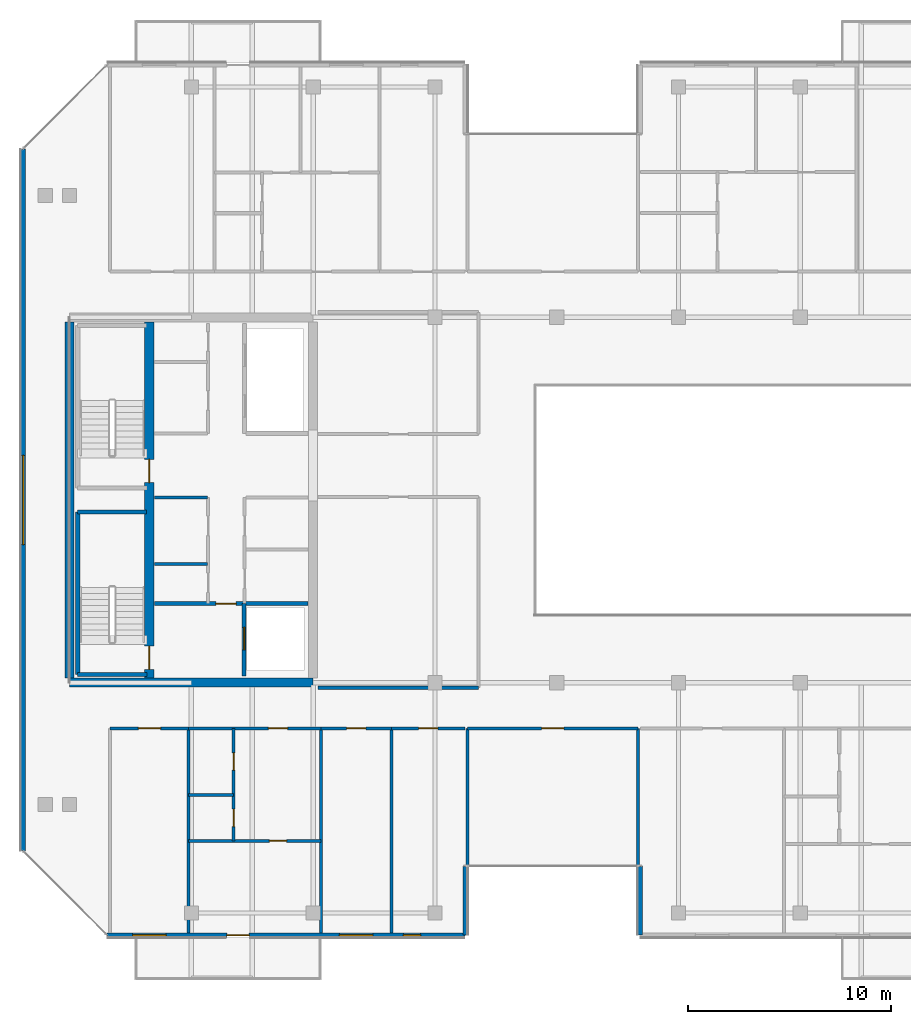
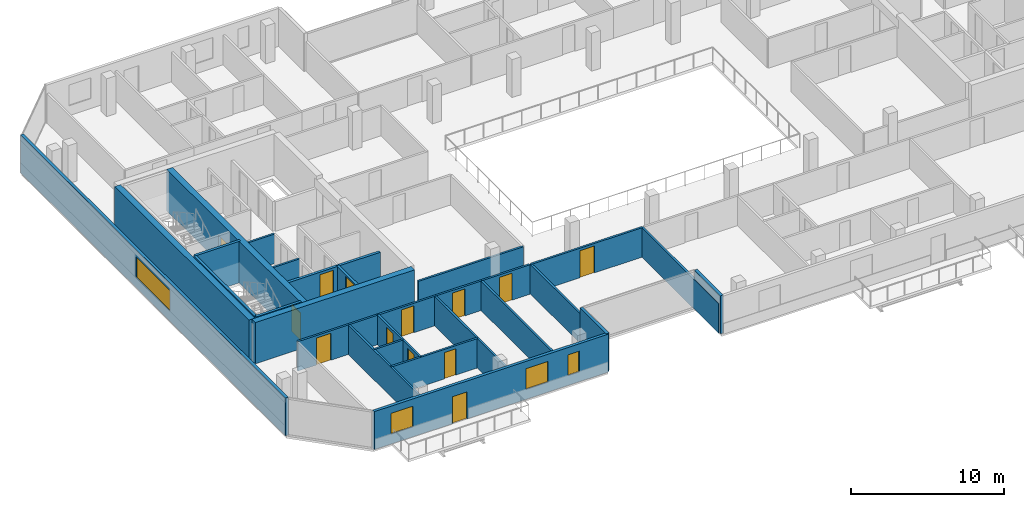
# One storey, part 14 of 24: 28 walls, 13 doors, 4 windows, 17 openings.
"""IFC4 building model written with IfcOpenShell, lengths in metres."""

from ifc_helpers import new_model, si_unit, direction, frame, frame_2d, origin, place, context, subcontext, project, spatial, rectangle, extrude, material, layer, layer_set, type_object, element, fill, save


model = new_model("IFC4")

# Units and contexts
model_context = context("Model", 3, precision=1e-05, world=origin(), true_north=direction((0.0, 1.0)))
body_context = subcontext(model_context, "Body", "Model", "MODEL_VIEW")
ifc_project = project(units=[si_unit("LENGTHUNIT", "METRE"), si_unit("AREAUNIT", "SQUARE_METRE"), si_unit("VOLUMEUNIT", "CUBIC_METRE"), si_unit("PLANEANGLEUNIT", "RADIAN"), si_unit("MASSUNIT", "GRAM", prefix="KILO")], contexts=[model_context])

# Site, building, storey
site_placement = place(None, origin())
site = spatial("IfcSite", under=ifc_project, at=site_placement, CompositionType="ELEMENT")
building_placement = place(site_placement, origin())
building = spatial("IfcBuilding", under=site, at=building_placement, Name="Tanjung Sevakor Pilgrim Tower", CompositionType="ELEMENT")
storey_placement = place(building_placement, frame((0.0, 0.0, 226.050048828125)))
storey = spatial("IfcBuildingStorey", under=building, at=storey_placement, Name="L63", CompositionType="ELEMENT", Elevation=226.050048828125)

# Walls
ifc_material_1 = material(Name="Concrete C60/75", Category="concrete")
ifc_layer_1 = layer(ifc_material_1, 0.449951171875)
ifc_layer_set_1 = layer_set([ifc_layer_1], Name="WALL-CW-450")
wall_type_1 = type_object("IfcWallType", Name="WALL-CW-450", PredefinedType="SHEAR", material=ifc_layer_set_1)
wall_1_placement = place(storey_placement, frame((24.0, 24.60009765625, 0.0), z_axis=(0.0, 0.0, 1.0), x_axis=(1.0, 0.0, 0.0)))
element("IfcWall", 1, at=wall_1_placement, inside=storey, type_object=wall_type_1, Name="L63 W Core South Shear Wall", PredefinedType="SHEAR", context=body_context, shape_type="SweptSolid", body=[
    extrude(rectangle(XDim=12.0, YDim=0.449951171875, at=frame_2d((6.0, 0.0))), origin(), (0.0, 0.0, 1.0), 3.300048828125),
])
wall_2_placement = place(storey_placement, frame((24.0, 24.824951171875, 0.0), z_axis=(0.0, 0.0, 1.0), x_axis=(0.0, 1.0, 0.0)))
element("IfcWall", 2, at=wall_2_placement, inside=storey, type_object=wall_type_1, Name="L63 W Core Outer Shear Wall", PredefinedType="SHEAR", context=body_context, shape_type="SweptSolid", body=[
    extrude(rectangle(XDim=17.550048828125, YDim=0.449951171875, at=frame_2d((8.77490234375, 0.0))), origin(), (0.0, 0.0, 1.0), 3.300048828125),
])

# Wall, openings, doors
wall_3_placement = place(storey_placement, frame((27.925048828125, 24.824951171875, 0.0), z_axis=(0.0, 0.0, 1.0), x_axis=(0.0, 1.0, 0.0)))
wall_3 = element("IfcWall", 3, at=wall_3_placement, inside=storey, type_object=wall_type_1, Name="L63 W Core Stair Spine Wall", PredefinedType="SHEAR", context=body_context, shape_type="SweptSolid", body=[
    extrude(rectangle(XDim=17.550048828125, YDim=0.449951171875, at=frame_2d((8.77490234375, 0.0))), origin(), (0.0, 0.0, 1.0), 3.300048828125),
])
opening_1_placement = place(wall_3_placement, frame((0.425048828125, 0.0, 0.0)))
opening_1 = element("IfcOpeningElement", 4, at=opening_1_placement, cuts=wall_3, Name="Opening ID-ST1", PredefinedType="OPENING", context=body_context, shape_type="SweptSolid", body=[
    extrude(rectangle(XDim=1.14990234375, YDim=2.14990234375, at=frame_2d((0.574951171875, 1.074951171875))), frame((0.0, 0.23486328125, 0.0), z_axis=(0.0, -1.0, 0.0), x_axis=(1.0, 0.0, 0.0)), (0.0, 0.0, 1.0), 0.469970703125),
])
opening_2_placement = place(wall_3_placement, frame((9.625, 0.0, 0.0)))
opening_2 = element("IfcOpeningElement", 5, at=opening_2_placement, cuts=wall_3, Name="Opening ID-ST1", PredefinedType="OPENING", context=body_context, shape_type="SweptSolid", body=[
    extrude(rectangle(XDim=1.14990234375, YDim=2.14990234375, at=frame_2d((0.574951171875, 1.074951171875))), frame((0.0, 0.23486328125, 0.0), z_axis=(0.0, -1.0, 0.0), x_axis=(1.0, 0.0, 0.0)), (0.0, 0.0, 1.0), 0.469970703125),
])
ifc_material_2 = material(Name="Fire-Rated Steel S355J2", Category="steel")
door_type_1 = type_object("IfcDoorType", Name="DT-FIRE-1150", OperationType="NOTDEFINED", PredefinedType="DOOR", material=ifc_material_2)
door_1_placement = place(opening_1_placement, origin())
door_1 = element("IfcDoor", 6, at=door_1_placement, inside=storey, type_object=door_type_1, Name="L63 TS-W1 Stair Fire Door", OperationType="SINGLE_SWING_RIGHT", OverallHeight=2.14990234375, OverallWidth=1.14990234375, PredefinedType="DOOR", context=body_context, shape_type="SweptSolid", body=[
    extrude(rectangle(XDim=1.14990234375, YDim=2.14990234375, at=frame_2d((0.574951171875, 1.074951171875))), frame((0.0, 0.02490234375, 0.0), z_axis=(0.0, -1.0, 0.0), x_axis=(1.0, 0.0, 0.0)), (0.0, 0.0, 1.0), 0.050048828125),
])
fill(opening_1, door_1)
door_2_placement = place(opening_2_placement, origin())
door_2 = element("IfcDoor", 7, at=door_2_placement, inside=storey, type_object=door_type_1, Name="L63 TS-W2 Stair Fire Door", OperationType="SINGLE_SWING_LEFT", OverallHeight=2.14990234375, OverallWidth=1.14990234375, PredefinedType="DOOR", context=body_context, shape_type="SweptSolid", body=[
    extrude(rectangle(XDim=1.14990234375, YDim=2.14990234375, at=frame_2d((0.574951171875, 1.074951171875))), frame((0.0, 0.02490234375, 0.0), z_axis=(0.0, -1.0, 0.0), x_axis=(1.0, 0.0, 0.0)), (0.0, 0.0, 1.0), 0.050048828125),
])
fill(opening_2, door_2)

# Walls
ifc_material_3 = material(Name="Concrete C40/50", Category="concrete")
ifc_layer_2 = layer(ifc_material_3, 0.14990234375)
ifc_layer_set_2 = layer_set([ifc_layer_2], Name="WT-COMP-150")
wall_type_2 = type_object("IfcWallType", Name="WT-COMP-150", PredefinedType="SOLIDWALL", material=ifc_layer_set_2)
for number, where, z_axis, x_axis, name in (
    (8, (28.169921875, 30.449951171875, 0.0), (0.0, 0.0, 1.0), (1.0, 0.0, 0.0), "L63 Partition IW-L63-003"),
    (9, (28.169921875, 33.719970703125, 0.0), (0.0, 0.0, 1.0), (1.0, 0.0, 0.0), "L63 Partition IW-L63-004"),
):
    element("IfcWall", number, at=place(storey_placement, frame(where, z_axis=z_axis, x_axis=x_axis)), inside=storey, type_object=wall_type_2, Name=name, PredefinedType="SOLIDWALL", context=body_context, shape_type="SweptSolid", body=[
        extrude(rectangle(XDim=2.630126953125, YDim=0.14990234375, at=frame_2d((1.31494140625, 0.0))), origin(), (0.0, 0.0, 1.0), 2.35009765625),
    ])
wall_4_placement = place(storey_placement, frame((36.2451171875, 24.35009765625, 0.0), z_axis=(0.0, 0.0, 1.0), x_axis=(1.0, 0.0, 0.0)))
element("IfcWall", 10, at=wall_4_placement, inside=storey, type_object=wall_type_2, Name="L63 Partition IW-L63-027", PredefinedType="SOLIDWALL", context=body_context, shape_type="SweptSolid", body=[
    extrude(rectangle(XDim=7.90478515625, YDim=0.14990234375, at=frame_2d((3.952392578125, 0.0))), origin(), (0.0, 0.0, 1.0), 2.35009765625),
])

# Wall, opening, door
wall_5_placement = place(storey_placement, frame((43.60009765625, 22.35009765625, 0.0), z_axis=(0.0, 0.0, 1.0), x_axis=(1.0, 0.0, 0.0)))
wall_5 = element("IfcWall", 11, at=wall_5_placement, inside=storey, type_object=wall_type_2, Name="L63 Partition IW-L63-039", PredefinedType="SOLIDWALL", context=body_context, shape_type="SweptSolid", body=[
    extrude(rectangle(XDim=8.39990234375, YDim=0.14990234375, at=frame_2d((4.199951171875, 0.0))), origin(), (0.0, 0.0, 1.0), 2.35009765625),
])
opening_3_placement = place(wall_5_placement, frame((3.64990234375, 0.0, 0.0)))
opening_3 = element("IfcOpeningElement", 12, at=opening_3_placement, cuts=wall_5, Name="Opening ID-RM2", PredefinedType="OPENING", context=body_context, shape_type="SweptSolid", body=[
    extrude(rectangle(XDim=1.10009765625, YDim=2.14990234375, at=frame_2d((0.550048828125, 1.074951171875))), frame((0.0, 0.0849609375, 0.0), z_axis=(0.0, -1.0, 0.0), x_axis=(1.0, 0.0, 0.0)), (0.0, 0.0, 1.0), 0.169921875),
])
ifc_material_4 = material(Name="Hardwood Timber", Category="wood")
door_type_2 = type_object("IfcDoorType", Name="DT-INT-1100", OperationType="NOTDEFINED", PredefinedType="DOOR", material=ifc_material_4)
door_3_placement = place(opening_3_placement, origin())
door_3 = element("IfcDoor", 13, at=door_3_placement, inside=storey, type_object=door_type_2, Name="L63 South Cleft Observatory Door", OperationType="SINGLE_SWING_RIGHT", OverallHeight=2.14990234375, OverallWidth=1.10009765625, PredefinedType="DOOR", context=body_context, shape_type="SweptSolid", body=[
    extrude(rectangle(XDim=1.10009765625, YDim=2.14990234375, at=frame_2d((0.550048828125, 1.074951171875))), frame((0.0, 0.02490234375, 0.0), z_axis=(0.0, -1.0, 0.0), x_axis=(1.0, 0.0, 0.0)), (0.0, 0.0, 1.0), 0.050048828125),
])
fill(opening_3, door_3)

# Walls
for number, where, z_axis, x_axis, name in (
    (14, (43.60009765625, 12.27001953125, 0.0), (0.0, 0.0, 1.0), (0.0, 1.0, 0.0), "L63 Partition IW-L63-040"),
    (15, (52.0, 12.27001953125, 0.0), (0.0, 0.0, 1.0), (0.0, 1.0, 0.0), "L63 Partition IW-L63-041"),
    (16, (29.86376953125, 12.27001953125, 0.0), (0.0, 0.0, 1.0), (0.0, 1.0, 0.0), "L63 Partition IW-L63-046"),
):
    element("IfcWall", number, at=place(storey_placement, frame(where, z_axis=z_axis, x_axis=x_axis)), inside=storey, type_object=wall_type_2, Name=name, PredefinedType="SOLIDWALL", context=body_context, shape_type="SweptSolid", body=[
        extrude(rectangle(XDim=10.080078125, YDim=0.14990234375, at=frame_2d((5.0400390625, 0.0))), origin(), (0.0, 0.0, 1.0), 2.35009765625),
    ])

# Wall, opening, door
wall_6_placement = place(storey_placement, frame((26.0, 22.35009765625, 0.0), z_axis=(0.0, 0.0, 1.0), x_axis=(1.0, 0.0, 0.0)))
wall_6 = element("IfcWall", 17, at=wall_6_placement, inside=storey, type_object=wall_type_2, Name="L63 Partition IW-L63-047", PredefinedType="SOLIDWALL", context=body_context, shape_type="SweptSolid", body=[
    extrude(rectangle(XDim=3.86376953125, YDim=0.14990234375, at=frame_2d((1.931884765625, 0.0))), origin(), (0.0, 0.0, 1.0), 2.35009765625),
])
opening_4_placement = place(wall_6_placement, frame((1.3818359375, 0.0, 0.0)))
opening_4 = element("IfcOpeningElement", 18, at=opening_4_placement, cuts=wall_6, Name="Opening ID-FD0", PredefinedType="OPENING", context=body_context, shape_type="SweptSolid", body=[
    extrude(rectangle(XDim=1.10009765625, YDim=2.14990234375, at=frame_2d((0.550048828125, 1.074951171875))), frame((0.0, 0.0849609375, 0.0), z_axis=(0.0, -1.0, 0.0), x_axis=(1.0, 0.0, 0.0)), (0.0, 0.0, 1.0), 0.169921875),
])
ifc_material_5 = material(Name="Fire-Rated Steel S355J2", Category="steel")
door_type_3 = type_object("IfcDoorType", Name="DT-FIRE-1100", OperationType="NOTDEFINED", PredefinedType="DOOR", material=ifc_material_5)
door_4_placement = place(opening_4_placement, origin())
door_4 = element("IfcDoor", 19, at=door_4_placement, inside=storey, type_object=door_type_3, Name="Communal Lounge Door", OperationType="SINGLE_SWING_RIGHT", OverallHeight=2.14990234375, OverallWidth=1.10009765625, PredefinedType="DOOR", context=body_context, shape_type="SweptSolid", body=[
    extrude(rectangle(XDim=1.10009765625, YDim=2.14990234375, at=frame_2d((0.550048828125, 1.074951171875))), frame((0.0, 0.02490234375, 0.0), z_axis=(0.0, -1.0, 0.0), x_axis=(1.0, 0.0, 0.0)), (0.0, 0.0, 1.0), 0.050048828125),
])
fill(opening_4, door_4)

# Wall
wall_7_placement = place(storey_placement, frame((36.3759765625, 12.27001953125, 0.0), z_axis=(0.0, 0.0, 1.0), x_axis=(0.0, 1.0, 0.0)))
element("IfcWall", 20, at=wall_7_placement, inside=storey, type_object=wall_type_2, Name="L63 Partition IW-L63-048", PredefinedType="SOLIDWALL", context=body_context, shape_type="SweptSolid", body=[
    extrude(rectangle(XDim=10.080078125, YDim=0.14990234375, at=frame_2d((5.0400390625, 0.0))), origin(), (0.0, 0.0, 1.0), 2.35009765625),
])

# Wall, opening, door
wall_8_placement = place(storey_placement, frame((29.86376953125, 22.35009765625, 0.0), z_axis=(0.0, 0.0, 1.0), x_axis=(1.0, 0.0, 0.0)))
wall_8 = element("IfcWall", 21, at=wall_8_placement, inside=storey, type_object=wall_type_2, Name="L63 Partition IW-L63-052", PredefinedType="SOLIDWALL", context=body_context, shape_type="SweptSolid", body=[
    extrude(rectangle(XDim=6.51220703125, YDim=0.14990234375, at=frame_2d((3.256103515625, 0.0))), origin(), (0.0, 0.0, 1.0), 2.35009765625),
])
opening_5_placement = place(wall_8_placement, frame((3.92822265625, 0.0, 0.0)))
opening_5 = element("IfcOpeningElement", 22, at=opening_5_placement, cuts=wall_8, Name="Opening ID-FD2", PredefinedType="OPENING", context=body_context, shape_type="SweptSolid", body=[
    extrude(rectangle(XDim=0.949951171875, YDim=2.14990234375, at=frame_2d((0.47509765625, 1.074951171875))), frame((0.0, 0.0849609375, 0.0), z_axis=(0.0, -1.0, 0.0), x_axis=(1.0, 0.0, 0.0)), (0.0, 0.0, 1.0), 0.169921875),
])
ifc_material_6 = material(Name="Fire-Rated Timber", Category="wood")
door_type_4 = type_object("IfcDoorType", Name="DT-FIRE-950", OperationType="NOTDEFINED", PredefinedType="DOOR", material=ifc_material_6)
door_5_placement = place(opening_5_placement, origin())
door_5 = element("IfcDoor", 23, at=door_5_placement, inside=storey, type_object=door_type_4, Name="Residence Entrance", OperationType="SINGLE_SWING_RIGHT", OverallHeight=2.14990234375, OverallWidth=0.949951171875, PredefinedType="DOOR", context=body_context, shape_type="SweptSolid", body=[
    extrude(rectangle(XDim=0.949951171875, YDim=2.14990234375, at=frame_2d((0.47509765625, 1.074951171875))), frame((0.0, 0.02490234375, 0.0), z_axis=(0.0, -1.0, 0.0), x_axis=(1.0, 0.0, 0.0)), (0.0, 0.0, 1.0), 0.050048828125),
])
fill(opening_5, door_5)

# Wall
wall_9_placement = place(storey_placement, frame((39.86572265625, 12.27001953125, 0.0), z_axis=(0.0, 0.0, 1.0), x_axis=(0.0, 1.0, 0.0)))
element("IfcWall", 24, at=wall_9_placement, inside=storey, type_object=wall_type_2, Name="L63 Partition IW-L63-053", PredefinedType="SOLIDWALL", context=body_context, shape_type="SweptSolid", body=[
    extrude(rectangle(XDim=10.080078125, YDim=0.14990234375, at=frame_2d((5.0400390625, 0.0))), origin(), (0.0, 0.0, 1.0), 2.35009765625),
])

# Wall, opening, door
wall_10_placement = place(storey_placement, frame((36.3759765625, 22.35009765625, 0.0), z_axis=(0.0, 0.0, 1.0), x_axis=(1.0, 0.0, 0.0)))
wall_10 = element("IfcWall", 25, at=wall_10_placement, inside=storey, type_object=wall_type_2, Name="L63 Partition IW-L63-054", PredefinedType="SOLIDWALL", context=body_context, shape_type="SweptSolid", body=[
    extrude(rectangle(XDim=3.48974609375, YDim=0.14990234375, at=frame_2d((1.744873046875, 0.0))), origin(), (0.0, 0.0, 1.0), 2.35009765625),
])
opening_6_placement = place(wall_10_placement, frame((1.27001953125, 0.0, 0.0)))
opening_6 = element("IfcOpeningElement", 26, at=opening_6_placement, cuts=wall_10, Name="Opening ID-FD2", PredefinedType="OPENING", context=body_context, shape_type="SweptSolid", body=[
    extrude(rectangle(XDim=0.949951171875, YDim=2.14990234375, at=frame_2d((0.47509765625, 1.074951171875))), frame((0.0, 0.0849609375, 0.0), z_axis=(0.0, -1.0, 0.0), x_axis=(1.0, 0.0, 0.0)), (0.0, 0.0, 1.0), 0.169921875),
])
door_6_placement = place(opening_6_placement, origin())
door_6 = element("IfcDoor", 27, at=door_6_placement, inside=storey, type_object=door_type_4, Name="Study Room Entrance", OperationType="SINGLE_SWING_LEFT", OverallHeight=2.14990234375, OverallWidth=0.949951171875, PredefinedType="DOOR", context=body_context, shape_type="SweptSolid", body=[
    extrude(rectangle(XDim=0.949951171875, YDim=2.14990234375, at=frame_2d((0.47509765625, 1.074951171875))), frame((0.0, 0.02490234375, 0.0), z_axis=(0.0, -1.0, 0.0), x_axis=(1.0, 0.0, 0.0)), (0.0, 0.0, 1.0), 0.050048828125),
])
fill(opening_6, door_6)

wall_11_placement = place(storey_placement, frame((39.86572265625, 22.35009765625, 0.0), z_axis=(0.0, 0.0, 1.0), x_axis=(1.0, 0.0, 0.0)))
wall_11 = element("IfcWall", 28, at=wall_11_placement, inside=storey, type_object=wall_type_2, Name="L63 Partition IW-L63-055", PredefinedType="SOLIDWALL", context=body_context, shape_type="SweptSolid", body=[
    extrude(rectangle(XDim=3.6142578125, YDim=0.14990234375, at=frame_2d((1.80712890625, 0.0))), origin(), (0.0, 0.0, 1.0), 2.35009765625),
])
opening_7_placement = place(wall_11_placement, frame((1.33203125, 0.0, 0.0)))
opening_7 = element("IfcOpeningElement", 29, at=opening_7_placement, cuts=wall_11, Name="Opening ID-FD2", PredefinedType="OPENING", context=body_context, shape_type="SweptSolid", body=[
    extrude(rectangle(XDim=0.949951171875, YDim=2.14990234375, at=frame_2d((0.47509765625, 1.074951171875))), frame((0.0, 0.0849609375, 0.0), z_axis=(0.0, -1.0, 0.0), x_axis=(1.0, 0.0, 0.0)), (0.0, 0.0, 1.0), 0.169921875),
])
door_7_placement = place(opening_7_placement, origin())
door_7 = element("IfcDoor", 30, at=door_7_placement, inside=storey, type_object=door_type_4, Name="Study Room Entrance", OperationType="SINGLE_SWING_RIGHT", OverallHeight=2.14990234375, OverallWidth=0.949951171875, PredefinedType="DOOR", context=body_context, shape_type="SweptSolid", body=[
    extrude(rectangle(XDim=0.949951171875, YDim=2.14990234375, at=frame_2d((0.47509765625, 1.074951171875))), frame((0.0, 0.02490234375, 0.0), z_axis=(0.0, -1.0, 0.0), x_axis=(1.0, 0.0, 0.0)), (0.0, 0.0, 1.0), 0.050048828125),
])
fill(opening_7, door_7)

# Wall, openings, door, windows
ifc_material_7 = material(Name="Precast concrete C45/55", Category="concrete")
ifc_layer_3 = layer(ifc_material_7, 0.219970703125)
ifc_layer_set_3 = layer_set([ifc_layer_3], Name="WT-EW-STN4")
wall_type_3 = type_object("IfcWallType", Name="WT-EW-STN4", PredefinedType="SOLIDWALL", material=ifc_layer_set_3)
wall_12_placement = place(storey_placement, frame((25.845703125, 12.159912109375, 0.0), z_axis=(0.0, 0.0, 1.0), x_axis=(1.0, 0.0, 0.0)))
wall_12 = element("IfcWall", 31, at=wall_12_placement, inside=storey, type_object=wall_type_3, Name="L63 MAIN Exterior Wall 1", PredefinedType="SOLIDWALL", context=body_context, shape_type="SweptSolid", body=[
    extrude(rectangle(XDim=17.644287109375, YDim=0.219970703125, at=frame_2d((8.822265625, 0.0))), origin(), (0.0, 0.0, 1.0), 3.02001953125),
])
opening_8_placement = place(wall_12_placement, frame((5.904296875, 0.0, 0.0)))
opening_8 = element("IfcOpeningElement", 32, at=opening_8_placement, cuts=wall_12, Name="Opening ED-BAL-1100", PredefinedType="OPENING", context=body_context, shape_type="SweptSolid", body=[
    extrude(rectangle(XDim=1.10009765625, YDim=2.14990234375, at=frame_2d((0.550048828125, 1.074951171875))), frame((0.0, 0.119873046875, 0.0), z_axis=(0.0, -1.0, 0.0), x_axis=(1.0, 0.0, 0.0)), (0.0, 0.0, 1.0), 0.239990234375),
])
opening_9_placement = place(wall_12_placement, frame((1.26123046875, 0.0, 0.780029296875)))
opening_9 = element("IfcOpeningElement", 33, at=opening_9_placement, cuts=wall_12, Name="Opening WN-Z4-1660", PredefinedType="OPENING", context=body_context, shape_type="SweptSolid", body=[
    extrude(rectangle(XDim=1.64990234375, YDim=1.659912109375, at=frame_2d((0.824951171875, 0.830078125))), frame((0.0, 0.119873046875, 0.0), z_axis=(0.0, -1.0, 0.0), x_axis=(1.0, 0.0, 0.0)), (0.0, 0.0, 1.0), 0.239990234375),
])
opening_10_placement = place(wall_12_placement, frame((11.4501953125, 0.0, 0.780029296875)))
opening_10 = element("IfcOpeningElement", 34, at=opening_10_placement, cuts=wall_12, Name="Opening WN-Z4-1660", PredefinedType="OPENING", context=body_context, shape_type="SweptSolid", body=[
    extrude(rectangle(XDim=1.64990234375, YDim=1.659912109375, at=frame_2d((0.824951171875, 0.830078125))), frame((0.0, 0.119873046875, 0.0), z_axis=(0.0, -1.0, 0.0), x_axis=(1.0, 0.0, 0.0)), (0.0, 0.0, 1.0), 0.239990234375),
])
opening_11_placement = place(wall_12_placement, frame((14.602294921875, 0.0, 0.780029296875)))
opening_11 = element("IfcOpeningElement", 35, at=opening_11_placement, cuts=wall_12, Name="Opening WN-SLM", PredefinedType="OPENING", context=body_context, shape_type="SweptSolid", body=[
    extrude(rectangle(XDim=0.85009765625, YDim=1.64990234375, at=frame_2d((0.425048828125, 0.824951171875))), frame((0.0, 0.119873046875, 0.0), z_axis=(0.0, -1.0, 0.0), x_axis=(1.0, 0.0, 0.0)), (0.0, 0.0, 1.0), 0.239990234375),
])
ifc_material_8 = material(Name="Anodised Aluminium and Laminated Glass", Category="aluminium")
door_type_5 = type_object("IfcDoorType", Name="DTYP-ED-BAL-1100", OperationType="NOTDEFINED", PredefinedType="DOOR", material=ifc_material_8)
door_8_placement = place(opening_8_placement, frame((1.10009765625, 0.0, 0.0), z_axis=(0.0, 0.0, 1.0), x_axis=(-1.0, 0.0, 0.0)))
door_8 = element("IfcDoor", 36, at=door_8_placement, inside=storey, type_object=door_type_5, Name="L63 Balcony Door MAIN-S1", OperationType="SINGLE_SWING_LEFT", OverallHeight=2.14990234375, OverallWidth=1.10009765625, PredefinedType="DOOR", context=body_context, shape_type="SweptSolid", body=[
    extrude(rectangle(XDim=1.10009765625, YDim=2.14990234375, at=frame_2d((0.550048828125, 1.074951171875))), frame((0.0, 0.02490234375, 0.0), z_axis=(0.0, -1.0, 0.0), x_axis=(1.0, 0.0, 0.0)), (0.0, 0.0, 1.0), 0.050048828125),
])
fill(opening_8, door_8)
ifc_material_9 = material(Name="Thermally Broken Aluminium and Low-E Glass", Category="aluminium")
window_type_1 = type_object("IfcWindowType", Name="WTYP-WN-SLM", PartitioningType="SINGLE_PANEL", PredefinedType="WINDOW", material=ifc_material_9)
window_1_placement = place(opening_11_placement, origin())
window_1 = element("IfcWindow", 37, at=window_1_placement, inside=storey, type_object=window_type_1, Name="L63 Facade Window 03", OverallHeight=1.64990234375, OverallWidth=0.85009765625, PartitioningType="SINGLE_PANEL", PredefinedType="WINDOW", context=body_context, shape_type="SweptSolid", body=[
    extrude(rectangle(XDim=0.85009765625, YDim=1.64990234375, at=frame_2d((0.425048828125, 0.824951171875))), frame((0.0, 0.030029296875, 0.0), z_axis=(0.0, -1.0, 0.0), x_axis=(1.0, 0.0, 0.0)), (0.0, 0.0, 1.0), 0.06005859375),
])
fill(opening_11, window_1)
ifc_material_10 = material(Name="Thermally Broken Aluminium and Low-E Glass", Category="aluminium")
window_type_2 = type_object("IfcWindowType", Name="WTYP-WN-Z4-1660", PartitioningType="DOUBLE_PANEL_VERTICAL", PredefinedType="WINDOW", material=ifc_material_10)
window_2_placement = place(opening_9_placement, origin())
window_2 = element("IfcWindow", 38, at=window_2_placement, inside=storey, type_object=window_type_2, Name="L63 Facade Window 01", OverallHeight=1.659912109375, OverallWidth=1.64990234375, PartitioningType="SINGLE_PANEL", PredefinedType="WINDOW", context=body_context, shape_type="SweptSolid", body=[
    extrude(rectangle(XDim=1.64990234375, YDim=1.659912109375, at=frame_2d((0.824951171875, 0.830078125))), frame((0.0, 0.030029296875, 0.0), z_axis=(0.0, -1.0, 0.0), x_axis=(1.0, 0.0, 0.0)), (0.0, 0.0, 1.0), 0.06005859375),
])
fill(opening_9, window_2)
window_3_placement = place(opening_10_placement, origin())
window_3 = element("IfcWindow", 39, at=window_3_placement, inside=storey, type_object=window_type_2, Name="L63 Facade Window 02", OverallHeight=1.659912109375, OverallWidth=1.64990234375, PartitioningType="SINGLE_PANEL", PredefinedType="WINDOW", context=body_context, shape_type="SweptSolid", body=[
    extrude(rectangle(XDim=1.64990234375, YDim=1.659912109375, at=frame_2d((0.824951171875, 0.830078125))), frame((0.0, 0.030029296875, 0.0), z_axis=(0.0, -1.0, 0.0), x_axis=(1.0, 0.0, 0.0)), (0.0, 0.0, 1.0), 0.06005859375),
])
fill(opening_10, window_3)

# Walls
for number, where, z_axis, x_axis, name in (
    (40, (43.489990234375, 12.159912109375, 0.0), (0.0, 0.0, 1.0), (0.0, 1.0, 0.0), "L63 MAIN Exterior Wall 2"),
    (41, (52.110107421875, 15.56005859375, 0.0), (0.0, 0.0, 1.0), (0.0, -1.0, 0.0), "L63 MAIN Exterior Wall 4"),
):
    element("IfcWall", number, at=place(storey_placement, frame(where, z_axis=z_axis, x_axis=x_axis)), inside=storey, type_object=wall_type_3, Name=name, PredefinedType="SOLIDWALL", context=body_context, shape_type="SweptSolid", body=[
        extrude(rectangle(XDim=3.400146484375, YDim=0.219970703125, at=frame_2d((1.7001953125, 0.0))), origin(), (0.0, 0.0, 1.0), 3.02001953125),
    ])

# Wall, opening, window
wall_13_placement = place(storey_placement, frame((21.7099609375, 50.904296875, 0.0), z_axis=(0.0, 0.0, 1.0), x_axis=(0.0, -1.0, 0.0)))
wall_13 = element("IfcWall", 42, at=wall_13_placement, inside=storey, type_object=wall_type_3, Name="L63 MAIN Exterior Wall 15", PredefinedType="SOLIDWALL", context=body_context, shape_type="SweptSolid", body=[
    extrude(rectangle(XDim=34.608642578125, YDim=0.219970703125, at=frame_2d((17.30419921875, 0.0))), origin(), (0.0, 0.0, 1.0), 3.02001953125),
])
opening_12_placement = place(wall_13_placement, frame((15.1044921875, 0.0, 0.780029296875)))
opening_12 = element("IfcOpeningElement", 43, at=opening_12_placement, cuts=wall_13, Name="Opening WN-ENDW-1660", PredefinedType="OPENING", context=body_context, shape_type="SweptSolid", body=[
    extrude(rectangle(XDim=4.39990234375, YDim=1.659912109375, at=frame_2d((2.199951171875, 0.830078125))), frame((0.0, 0.119873046875, 0.0), z_axis=(0.0, -1.0, 0.0), x_axis=(1.0, 0.0, 0.0)), (0.0, 0.0, 1.0), 0.239990234375),
])
ifc_material_11 = material(Name="Thermally Broken Aluminium and Low-E Glass", Category="aluminium")
window_type_3 = type_object("IfcWindowType", Name="WTYP-WN-ENDW-1660", PartitioningType="DOUBLE_PANEL_VERTICAL", PredefinedType="WINDOW", material=ifc_material_11)
window_4_placement = place(opening_12_placement, origin())
window_4 = element("IfcWindow", 44, at=window_4_placement, inside=storey, type_object=window_type_3, Name="L63 Facade Window 01", OverallHeight=1.659912109375, OverallWidth=4.39990234375, PartitioningType="SINGLE_PANEL", PredefinedType="WINDOW", context=body_context, shape_type="SweptSolid", body=[
    extrude(rectangle(XDim=4.39990234375, YDim=1.659912109375, at=frame_2d((2.199951171875, 0.830078125))), frame((0.0, 0.030029296875, 0.0), z_axis=(0.0, -1.0, 0.0), x_axis=(1.0, 0.0, 0.0)), (0.0, 0.0, 1.0), 0.06005859375),
])
fill(opening_12, window_4)

# Walls
ifc_material_12 = material(Name="Concrete C40/50", Category="concrete")
ifc_layer_4 = layer(ifc_material_12, 0.199951171875)
ifc_layer_set_4 = layer_set([ifc_layer_4], Name="WT-FIRE-200")
wall_type_4 = type_object("IfcWallType", Name="WT-FIRE-200", PredefinedType="SOLIDWALL", material=ifc_layer_set_4)
for number, where, z_axis, x_axis, name in (
    (45, (24.39990234375, 25.0, 0.0), (0.0, 0.0, 1.0), (1.0, 0.0, 0.0), "L63 TS-W1 Shaft Wall 1"),
    (46, (27.800048828125, 33.0, 0.0), (0.0, 0.0, 1.0), (-1.0, 0.0, 0.0), "L63 TS-W1 Shaft Wall 2"),
):
    element("IfcWall", number, at=place(storey_placement, frame(where, z_axis=z_axis, x_axis=x_axis)), inside=storey, type_object=wall_type_4, Name=name, PredefinedType="SOLIDWALL", context=body_context, shape_type="SweptSolid", body=[
        extrude(rectangle(XDim=3.400146484375, YDim=0.199951171875, at=frame_2d((1.7001953125, 0.0))), origin(), (0.0, 0.0, 1.0), 3.300048828125),
    ])
wall_14_placement = place(storey_placement, frame((24.39990234375, 33.0, 0.0), z_axis=(0.0, 0.0, 1.0), x_axis=(0.0, -1.0, 0.0)))
element("IfcWall", 47, at=wall_14_placement, inside=storey, type_object=wall_type_4, Name="L63 TS-W1 Shaft Wall 3", PredefinedType="SOLIDWALL", context=body_context, shape_type="SweptSolid", body=[
    extrude(rectangle(XDim=8.0, YDim=0.199951171875, at=frame_2d((4.0, 0.0))), origin(), (0.0, 0.0, 1.0), 3.300048828125),
])

# Wall, opening, door
ifc_material_13 = material(Name="Concrete C40/50", Category="concrete")
ifc_layer_5 = layer(ifc_material_13, 0.199951171875)
ifc_layer_set_5 = layer_set([ifc_layer_5], Name="WT-FPRT-200")
wall_type_5 = type_object("IfcWallType", Name="WT-FPRT-200", PredefinedType="SOLIDWALL", material=ifc_layer_set_5)
wall_15_placement = place(storey_placement, frame((32.60009765625, 24.919921875, 0.0), z_axis=(0.0, 0.0, 1.0), x_axis=(0.0, 1.0, 0.0)))
wall_15 = element("IfcWall", 48, at=wall_15_placement, inside=storey, type_object=wall_type_5, Name="L63 Partition IW-L63-001", PredefinedType="SOLIDWALL", context=body_context, shape_type="SweptSolid", body=[
    extrude(rectangle(XDim=3.580078125, YDim=0.199951171875, at=frame_2d((1.7900390625, 0.0))), origin(), (0.0, 0.0, 1.0), 2.35009765625),
])
opening_13_placement = place(wall_15_placement, frame((1.300048828125, 0.0, 0.0)))
opening_13 = element("IfcOpeningElement", 49, at=opening_13_placement, cuts=wall_15, Name="Opening LD-1100", PredefinedType="OPENING", context=body_context, shape_type="SweptSolid", body=[
    extrude(rectangle(XDim=1.10009765625, YDim=2.199951171875, at=frame_2d((0.550048828125, 1.10009765625))), frame((0.0, 0.10986328125, 0.0), z_axis=(0.0, -1.0, 0.0), x_axis=(1.0, 0.0, 0.0)), (0.0, 0.0, 1.0), 0.219970703125),
])
ifc_material_14 = material(Name="Brushed Stainless Steel S355J2", Category="steel")
door_type_6 = type_object("IfcDoorType", Name="DT-LIFT-1100", OperationType="SLIDING_TO_LEFT", PredefinedType="DOOR", material=ifc_material_14)
door_9_placement = place(opening_13_placement, origin())
door_9 = element("IfcDoor", 50, at=door_9_placement, inside=storey, type_object=door_type_6, Name="LD-FL-W", OperationType="SLIDING_TO_LEFT", OverallHeight=2.199951171875, OverallWidth=1.10009765625, PredefinedType="DOOR", context=body_context, shape_type="SweptSolid", body=[
    extrude(rectangle(XDim=1.10009765625, YDim=2.199951171875, at=frame_2d((0.550048828125, 1.10009765625))), frame((0.0, 0.02490234375, 0.0), z_axis=(0.0, -1.0, 0.0), x_axis=(1.0, 0.0, 0.0)), (0.0, 0.0, 1.0), 0.050048828125),
])
fill(opening_13, door_9)

wall_16_placement = place(storey_placement, frame((28.169921875, 28.5, 0.0), z_axis=(0.0, 0.0, 1.0), x_axis=(1.0, 0.0, 0.0)))
wall_16 = element("IfcWall", 51, at=wall_16_placement, inside=storey, type_object=wall_type_5, Name="L63 Partition IW-L63-002", PredefinedType="SOLIDWALL", context=body_context, shape_type="SweptSolid", body=[
    extrude(rectangle(XDim=7.5849609375, YDim=0.199951171875, at=frame_2d((3.79248046875, 0.0))), origin(), (0.0, 0.0, 1.0), 2.35009765625),
])
opening_14_placement = place(wall_16_placement, frame((3.030029296875, 0.0, 0.0)))
opening_14 = element("IfcOpeningElement", 52, at=opening_14_placement, cuts=wall_16, Name="Opening ID-FD1", PredefinedType="OPENING", context=body_context, shape_type="SweptSolid", body=[
    extrude(rectangle(XDim=1.0, YDim=2.14990234375, at=frame_2d((0.5, 1.074951171875))), frame((0.0, 0.10986328125, 0.0), z_axis=(0.0, -1.0, 0.0), x_axis=(1.0, 0.0, 0.0)), (0.0, 0.0, 1.0), 0.219970703125),
])
ifc_material_15 = material(Name="Fire-Rated Steel S355J2", Category="steel")
door_type_7 = type_object("IfcDoorType", Name="DT-FIRE-1000", OperationType="NOTDEFINED", PredefinedType="DOOR", material=ifc_material_15)
door_10_placement = place(opening_14_placement, origin())
door_10 = element("IfcDoor", 53, at=door_10_placement, inside=storey, type_object=door_type_7, Name="Fire Lobby Door W", OperationType="SINGLE_SWING_LEFT", OverallHeight=2.14990234375, OverallWidth=1.0, PredefinedType="DOOR", context=body_context, shape_type="SweptSolid", body=[
    extrude(rectangle(XDim=1.0, YDim=2.14990234375, at=frame_2d((0.5, 1.074951171875))), frame((0.0, 0.02490234375, 0.0), z_axis=(0.0, -1.0, 0.0), x_axis=(1.0, 0.0, 0.0)), (0.0, 0.0, 1.0), 0.050048828125),
])
fill(opening_14, door_10)

# Wall
ifc_material_16 = material(Name="Gypsum Board Partition", Category="gypsum board")
ifc_layer_6 = layer(ifc_material_16, 0.14990234375)
ifc_layer_set_6 = layer_set([ifc_layer_6], Name="WT-PART-150")
wall_type_6 = type_object("IfcWallType", Name="WT-PART-150", PredefinedType="PARTITIONING", material=ifc_layer_set_6)
wall_17_placement = place(storey_placement, frame((29.86376953125, 19.075439453125, 0.0), z_axis=(0.0, 0.0, 1.0), x_axis=(1.0, 0.0, 0.0)))
element("IfcWall", 54, at=wall_17_placement, inside=storey, type_object=wall_type_6, Name="L63 Partition IW-L63-049", PredefinedType="PARTITIONING", context=body_context, shape_type="SweptSolid", body=[
    extrude(rectangle(XDim=2.214111328125, YDim=0.14990234375, at=frame_2d((1.10693359375, 0.0))), origin(), (0.0, 0.0, 1.0), 2.35009765625),
])

# Wall, openings, doors
wall_18_placement = place(storey_placement, frame((32.077880859375, 16.800048828125, 0.0), z_axis=(0.0, 0.0, 1.0), x_axis=(0.0, 1.0, 0.0)))
wall_18 = element("IfcWall", 55, at=wall_18_placement, inside=storey, type_object=wall_type_6, Name="L63 Partition IW-L63-050", PredefinedType="PARTITIONING", context=body_context, shape_type="SweptSolid", body=[
    extrude(rectangle(XDim=5.550048828125, YDim=0.14990234375, at=frame_2d((2.77490234375, 0.0))), origin(), (0.0, 0.0, 1.0), 2.35009765625),
])
opening_15_placement = place(wall_18_placement, frame((0.712890625, 0.0, 0.0)))
opening_15 = element("IfcOpeningElement", 56, at=opening_15_placement, cuts=wall_18, Name="Opening ID-WC1", PredefinedType="OPENING", context=body_context, shape_type="SweptSolid", body=[
    extrude(rectangle(XDim=0.85009765625, YDim=2.10009765625, at=frame_2d((0.425048828125, 1.050048828125))), frame((0.0, 0.0849609375, 0.0), z_axis=(0.0, -1.0, 0.0), x_axis=(1.0, 0.0, 0.0)), (0.0, 0.0, 1.0), 0.169921875),
])
opening_16_placement = place(wall_18_placement, frame((3.48779296875, 0.0, 0.0)))
opening_16 = element("IfcOpeningElement", 57, at=opening_16_placement, cuts=wall_18, Name="Opening ID-WC1", PredefinedType="OPENING", context=body_context, shape_type="SweptSolid", body=[
    extrude(rectangle(XDim=0.85009765625, YDim=2.10009765625, at=frame_2d((0.425048828125, 1.050048828125))), frame((0.0, 0.0849609375, 0.0), z_axis=(0.0, -1.0, 0.0), x_axis=(1.0, 0.0, 0.0)), (0.0, 0.0, 1.0), 0.169921875),
])
ifc_material_17 = material(Name="Moisture-Resistant Timber", Category="wood")
door_type_8 = type_object("IfcDoorType", Name="DT-INT-850", OperationType="NOTDEFINED", PredefinedType="DOOR", material=ifc_material_17)
door_11_placement = place(opening_15_placement, origin())
door_11 = element("IfcDoor", 58, at=door_11_placement, inside=storey, type_object=door_type_8, Name="Residence Bathroom Door", OperationType="SINGLE_SWING_LEFT", OverallHeight=2.10009765625, OverallWidth=0.85009765625, PredefinedType="DOOR", context=body_context, shape_type="SweptSolid", body=[
    extrude(rectangle(XDim=0.85009765625, YDim=2.10009765625, at=frame_2d((0.425048828125, 1.050048828125))), frame((0.0, 0.02490234375, 0.0), z_axis=(0.0, -1.0, 0.0), x_axis=(1.0, 0.0, 0.0)), (0.0, 0.0, 1.0), 0.050048828125),
])
fill(opening_15, door_11)
door_12_placement = place(opening_16_placement, origin())
door_12 = element("IfcDoor", 59, at=door_12_placement, inside=storey, type_object=door_type_8, Name="Residence Kitchenette Door", OperationType="SINGLE_SWING_RIGHT", OverallHeight=2.10009765625, OverallWidth=0.85009765625, PredefinedType="DOOR", context=body_context, shape_type="SweptSolid", body=[
    extrude(rectangle(XDim=0.85009765625, YDim=2.10009765625, at=frame_2d((0.425048828125, 1.050048828125))), frame((0.0, 0.02490234375, 0.0), z_axis=(0.0, -1.0, 0.0), x_axis=(1.0, 0.0, 0.0)), (0.0, 0.0, 1.0), 0.050048828125),
])
fill(opening_16, door_12)

# Wall, opening, door
wall_19_placement = place(storey_placement, frame((29.86376953125, 16.800048828125, 0.0), z_axis=(0.0, 0.0, 1.0), x_axis=(1.0, 0.0, 0.0)))
wall_19 = element("IfcWall", 60, at=wall_19_placement, inside=storey, type_object=wall_type_6, Name="L63 Partition IW-L63-051", PredefinedType="PARTITIONING", context=body_context, shape_type="SweptSolid", body=[
    extrude(rectangle(XDim=6.51220703125, YDim=0.14990234375, at=frame_2d((3.256103515625, 0.0))), origin(), (0.0, 0.0, 1.0), 2.35009765625),
])
opening_17_placement = place(wall_19_placement, frame((3.978271484375, 0.0, 0.0)))
opening_17 = element("IfcOpeningElement", 61, at=opening_17_placement, cuts=wall_19, Name="Opening ID-WC1", PredefinedType="OPENING", context=body_context, shape_type="SweptSolid", body=[
    extrude(rectangle(XDim=0.85009765625, YDim=2.10009765625, at=frame_2d((0.425048828125, 1.050048828125))), frame((0.0, 0.0849609375, 0.0), z_axis=(0.0, -1.0, 0.0), x_axis=(1.0, 0.0, 0.0)), (0.0, 0.0, 1.0), 0.169921875),
])
door_13_placement = place(opening_17_placement, origin())
door_13 = element("IfcDoor", 62, at=door_13_placement, inside=storey, type_object=door_type_8, Name="Residence Bedroom Door", OperationType="SINGLE_SWING_LEFT", OverallHeight=2.10009765625, OverallWidth=0.85009765625, PredefinedType="DOOR", context=body_context, shape_type="SweptSolid", body=[
    extrude(rectangle(XDim=0.85009765625, YDim=2.10009765625, at=frame_2d((0.425048828125, 1.050048828125))), frame((0.0, 0.02490234375, 0.0), z_axis=(0.0, -1.0, 0.0), x_axis=(1.0, 0.0, 0.0)), (0.0, 0.0, 1.0), 0.050048828125),
])
fill(opening_17, door_13)

save(model, "model.ifc")
